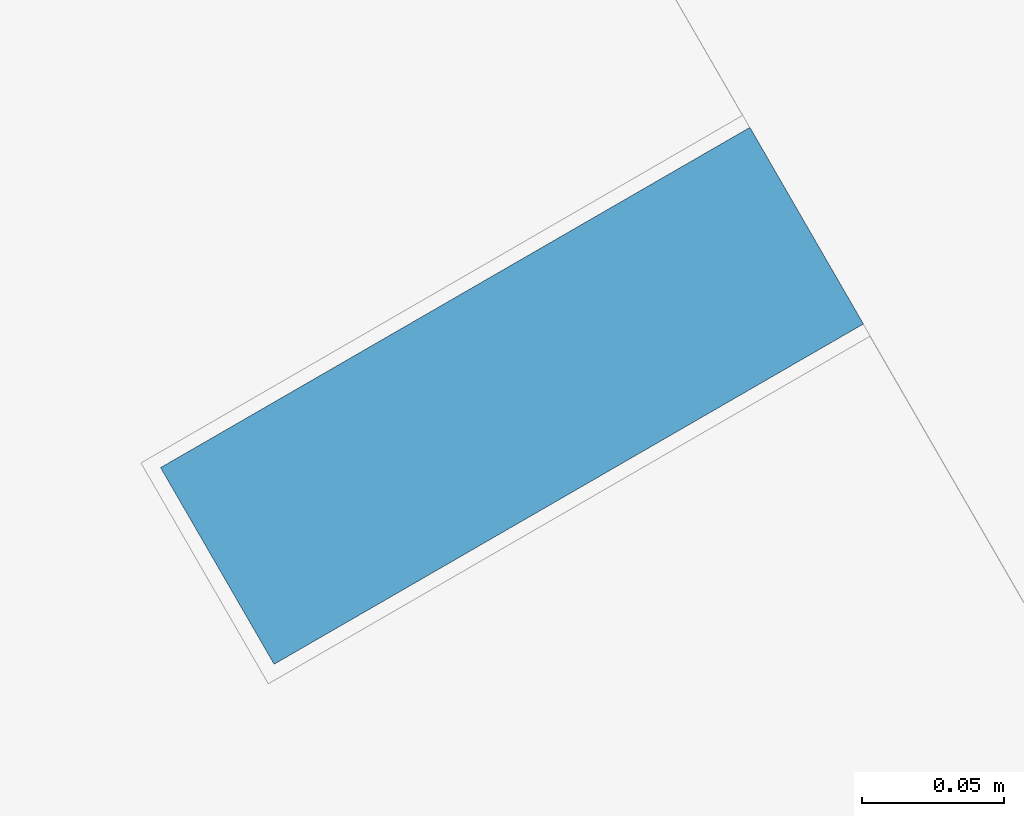
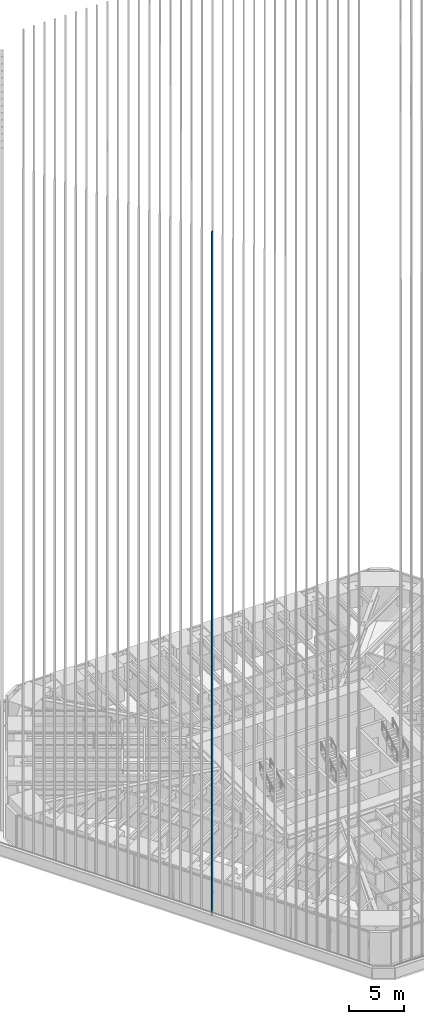
# One storey, part 37 of 238: 1 member, 1 element without a shape of its own.
"""IFC4 building model written with IfcOpenShell, lengths in metres."""

from ifc_helpers import new_model, si_unit, direction, frame, origin, origin_2d, place, context, subcontext, project, spatial, rectangle, extrude, material, material_profile, profile_set, type_object, element, aggregate, save


model = new_model("IFC4")

# Units and contexts
model_context = context("Model", 3, precision=1e-05, world=origin(), true_north=direction((0.0, 1.0)))
body_context = subcontext(model_context, "Body", "Model", "MODEL_VIEW")
ifc_project = project(units=[si_unit("LENGTHUNIT", "METRE"), si_unit("AREAUNIT", "SQUARE_METRE"), si_unit("VOLUMEUNIT", "CUBIC_METRE"), si_unit("PLANEANGLEUNIT", "RADIAN"), si_unit("MASSUNIT", "GRAM", prefix="KILO")], contexts=[model_context])

# Site, building, storey
site_placement = place(None, origin())
site = spatial("IfcSite", under=ifc_project, at=site_placement, CompositionType="ELEMENT")
building_placement = place(site_placement, origin())
building = spatial("IfcBuilding", under=site, at=building_placement, Name="Sandreach Pilgrim Tower", CompositionType="ELEMENT")
storey_placement = place(building_placement, frame((0.0, 0.0, 96.800048828125)))
storey = spatial("IfcBuildingStorey", under=building, at=storey_placement, Name="L23", CompositionType="ELEMENT", Elevation=96.800048828125)

# Curtain wall, member
ifc_material_1 = material(Name="Aluminium framed curtain wall", Category="aluminium")
curtain_wall_type = type_object("IfcCurtainWallType", Name="Hotel tower curtain wall", PredefinedType="NOTDEFINED", material=ifc_material_1)
curtain_wall_placement = place(storey_placement, origin())
curtain_wall = element("IfcCurtainWall", 1, at=curtain_wall_placement, inside=storey, type_object=curtain_wall_type, Name="CW-2 L23 SW", PredefinedType="NOTDEFINED")
ifc_material_2 = material(Name="Extruded terracotta on aluminium core", Category="masonry")
ifc_material_profile = material_profile(ifc_material_2, rectangle(XDim=0.080078125, YDim=0.239990234375, at=origin_2d()), Name="TBW 80X240")
ifc_profile_set = profile_set([ifc_material_profile], Name="Extruded terracotta on aluminium core")
member_type = type_object("IfcMemberType", Name="Terracotta baguette west", PredefinedType="USERDEFINED", material=ifc_profile_set)
member_placement = place(storey_placement, frame((-18.742431640625, -13.364501953125, 0.0), z_axis=(0.0, 0.0, 1.0), x_axis=(-0.5, 0.866025403784, 0.0)))
member = element("IfcMember", 2, at=member_placement, type_object=member_type, Name="Baguette Z2 SW15", ObjectType="BAGUETTE", PredefinedType="USERDEFINED", context=body_context, shape_type="SweptSolid", body=[
    extrude(rectangle(XDim=0.080078125, YDim=0.239990234375, at=origin_2d()), origin(), (0.0, 0.0, 1.0), 75.83984375),
])
aggregate(curtain_wall, [member])

save(model, "model.ifc")
